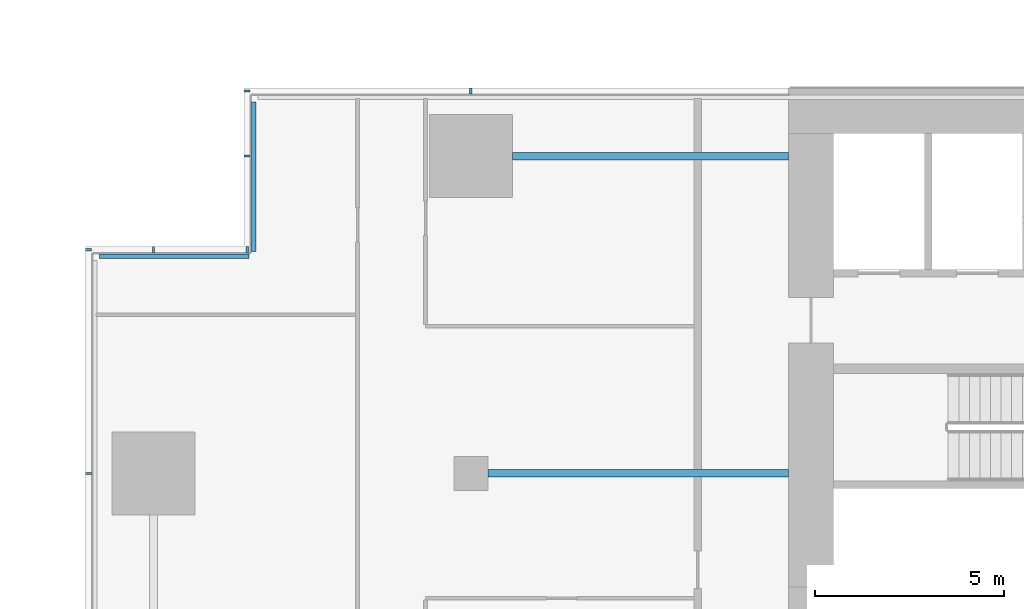
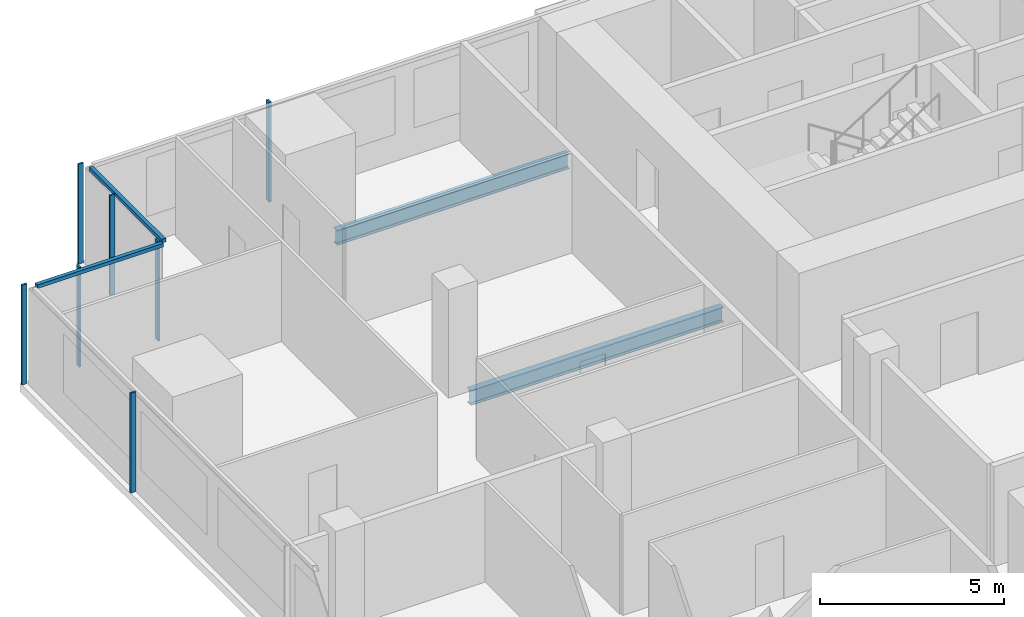
# One storey, part 8 of 26: 9 members, 2 beams, 4 elements without a shape of their own.
"""IFC4 building model written with IfcOpenShell, lengths in metres."""

import ifcopenshell
import ifcopenshell.guid

model = None  # the IFC model being written
_history = None  # IfcOwnerHistory: only IFC2X3 demands one
_inside = {}  # id of a spatial element -> (the spatial element, [elements in it])
_under = {}  # id of a project, library or spatial element -> (it, [spatial elements below it])
_declared = {}  # id of a project -> (the project, [libraries it declares])
_typed = {}  # id of a type object -> (the type object, [elements of that type])
_made_of = {}  # id of a material, layer set ... -> (it, [elements and type objects made of it])


def new_model(schema):
    """Start an empty IFC model of exactly this schema.

    Asked for "IFC4X3", IfcOpenShell would pick the latest addendum, in which some entities
    have other attributes; the version numbers below select the first issue.
    IFC2X3 requires an IfcOwnerHistory on every rooted entity: one is made here for all.
    """
    global model, _history
    if schema == "IFC4X3":
        model = ifcopenshell.file(schema_version=(4, 3, 0, 0))
    else:
        model = ifcopenshell.file(schema=schema)
    _inside.clear()
    _under.clear()
    _declared.clear()
    _typed.clear()
    _made_of.clear()
    _history = None
    if model.schema == "IFC2X3":
        org = make("IfcOrganization", Name="unknown")
        user = make(
            "IfcPersonAndOrganization",
            ThePerson=make("IfcPerson", FamilyName="unknown"),
            TheOrganization=org,
        )
        app = make(
            "IfcApplication",
            ApplicationDeveloper=org,
            Version="unknown",
            ApplicationFullName="unknown",
            ApplicationIdentifier="unknown",
        )
        _history = make(
            "IfcOwnerHistory",
            OwningUser=user,
            OwningApplication=app,
            ChangeAction="ADDED",
            CreationDate=0,
        )
    return model


def make(cls, **values):
    """One entity of the class cls with the attributes given. An attribute that is None is left unset."""
    return model.create_entity(
        cls, **{name: value for name, value in values.items() if value is not None}
    )


def rooted(cls, **values):
    """An entity with a GlobalId (a new one), such as an element, a storey or a relation."""
    return make(cls, GlobalId=ifcopenshell.guid.new(), OwnerHistory=_history, **values)


def si_unit(unit_type, name, prefix=None):
    """IfcSIUnit, for example si_unit("LENGTHUNIT", "METRE", prefix="MILLI")."""
    return make("IfcSIUnit", UnitType=unit_type, Prefix=prefix, Name=name)


def assignment(units):
    """IfcUnitAssignment: the units of a project."""
    return None if units is None else make("IfcUnitAssignment", Units=units)


def point(xyz):
    """IfcCartesianPoint."""
    return None if xyz is None else make("IfcCartesianPoint", Coordinates=xyz)


def direction(xyz):
    """IfcDirection."""
    return None if xyz is None else make("IfcDirection", DirectionRatios=xyz)


def frame(location, z_axis=None, x_axis=None):
    """IfcAxis2Placement3D, a coordinate frame: its origin and axes. An axis left out is left unset."""
    return make(
        "IfcAxis2Placement3D",
        Location=point(location),
        Axis=direction(z_axis),
        RefDirection=direction(x_axis),
    )


def frame_2d(location, x_axis=None):
    """IfcAxis2Placement2D, a coordinate frame in the plane: its origin and x axis."""
    return make(
        "IfcAxis2Placement2D", Location=point(location), RefDirection=direction(x_axis)
    )


def origin():
    """The frame at (0, 0, 0) with its axes left unset."""
    return frame((0.0, 0.0, 0.0))


def origin_2d():
    """The frame at (0, 0) in the plane with its x axis left unset."""
    return frame_2d((0.0, 0.0))


def place(relative_to, where):
    """IfcLocalPlacement: puts the frame where relative to a parent placement (None: the world)."""
    return make(
        "IfcLocalPlacement", PlacementRelTo=relative_to, RelativePlacement=where
    )


def context(
    kind, dimensions, precision=None, world=None, true_north=None, identifier=None
):
    """IfcGeometricRepresentationContext, for example the 3D "Model" context."""
    return make(
        "IfcGeometricRepresentationContext",
        ContextIdentifier=identifier,
        ContextType=kind,
        CoordinateSpaceDimension=dimensions,
        Precision=precision,
        WorldCoordinateSystem=world,
        TrueNorth=true_north,
    )


def subcontext(parent, identifier, kind, view, scale=None):
    """IfcGeometricRepresentationSubContext, for example "Body" below "Model"."""
    return make(
        "IfcGeometricRepresentationSubContext",
        ContextIdentifier=identifier,
        ContextType=kind,
        ParentContext=parent,
        TargetScale=scale,
        TargetView=view,
    )


def project(units=None, contexts=None):
    """IfcProject with its units and contexts."""
    return rooted(
        "IfcProject",
        Name="project",
        RepresentationContexts=contexts,
        UnitsInContext=assignment(units),
    )


def spatial(cls, under=None, at=None, **own):
    """A site, building, storey or space (cls), placed at a placement, below another one or the project."""
    s = rooted(cls, ObjectPlacement=at, **own)
    if under is not None:
        _under.setdefault(under.id(), (under, []))[1].append(s)
    return s


def profile(cls, at=None, kind="AREA", **sizes):
    """A parametric profile (cls). Its sizes go by their IFC names, for example OverallWidth=200.0."""
    return make(cls, ProfileType=kind, Position=at, **sizes)


def rectangle(**sizes):
    """IfcRectangleProfileDef."""
    return profile("IfcRectangleProfileDef", **sizes)


def i_section(**sizes):
    """IfcIShapeProfileDef."""
    return profile("IfcIShapeProfileDef", **sizes)


def extrude(swept, where, along, depth):
    """IfcExtrudedAreaSolid: the profile swept, set in the frame where, extruded along a direction by depth."""
    return make(
        "IfcExtrudedAreaSolid",
        SweptArea=swept,
        Position=where,
        ExtrudedDirection=direction(along),
        Depth=depth,
    )


def shape(context_of_items, identifier, shape_type, items):
    """IfcShapeRepresentation: the items that make up one representation, for example the "Body"."""
    return make(
        "IfcShapeRepresentation",
        ContextOfItems=context_of_items,
        RepresentationIdentifier=identifier,
        RepresentationType=shape_type,
        Items=items,
    )


def material(Name=None, Category=None):
    """IfcMaterial."""
    return make("IfcMaterial", Name=Name, Category=Category)


def material_profile(
    of_material, cross_section, Name=None, Category=None, Priority=None
):
    """IfcMaterialProfile: a cross section and its material."""
    return make(
        "IfcMaterialProfile",
        Name=Name,
        Material=of_material,
        Profile=cross_section,
        Priority=Priority,
        Category=Category,
    )


def profile_set(profiles, Name=None, composite=None):
    """IfcMaterialProfileSet."""
    return make(
        "IfcMaterialProfileSet",
        Name=Name,
        MaterialProfiles=profiles,
        CompositeProfile=composite,
    )


def made_of(thing, what):
    """Note that an element or type object is made of a material, layer set ...; save() writes the relation."""
    if what is not None:
        _made_of.setdefault(what.id(), (what, []))[1].append(thing)
    return thing


def type_object(cls, material=None, **own):
    """A type object (cls), such as IfcWallType, which elements share."""
    return made_of(rooted(cls, **own), material)


def element(
    cls,
    number,
    at=None,
    inside=None,
    cuts=None,
    type_object=None,
    material=None,
    context=None,
    identifier="Body",
    shape_type=None,
    held_by="IfcProductDefinitionShape",
    body=None,
    shapes=None,
    **own,
):
    """One element of the class cls, such as IfcWall. Its Tag is "e" and its number.

    at: its placement. inside: the storey or other place that contains it. cuts: it is an
    opening in that element (IfcRelVoidsElement). A single representation is given by context,
    identifier, shape_type and body (its items); several are given by shapes. held_by: the class
    of the entity that holds the representations. save() writes the other relations.
    """
    e = rooted(cls, Tag="e%d" % number, ObjectPlacement=at, **own)
    if body is not None:
        shapes = [shape(context, identifier, shape_type, body)]
    if shapes is not None:
        e.Representation = make(held_by, Representations=shapes)
    if inside is not None:
        _inside.setdefault(inside.id(), (inside, []))[1].append(e)
    if cuts is not None:
        rooted(
            "IfcRelVoidsElement", RelatingBuildingElement=cuts, RelatedOpeningElement=e
        )
    if type_object is not None:
        _typed.setdefault(type_object.id(), (type_object, []))[1].append(e)
    return made_of(e, material)


def aggregate(whole, parts):
    """IfcRelAggregates: a whole, such as a stair, and the parts it consists of."""
    return rooted("IfcRelAggregates", RelatingObject=whole, RelatedObjects=parts)


def save(model, path):
    """Write the relations noted so far, then the file.

    IfcRelAggregates (storeys below a building ...), IfcRelContainedInSpatialStructure (elements
    in a storey), IfcRelDefinesByType, IfcRelAssociatesMaterial and IfcRelDeclares: one each for
    every whole, place, type object, material and project.
    """
    for whole, parts in _under.values():
        aggregate(whole, parts)
    for where, things in _inside.values():
        rooted(
            "IfcRelContainedInSpatialStructure",
            RelatedElements=things,
            RelatingStructure=where,
        )
    for kind, things in _typed.values():
        rooted("IfcRelDefinesByType", RelatedObjects=things, RelatingType=kind)
    for what, things in _made_of.values():
        rooted("IfcRelAssociatesMaterial", RelatedObjects=things, RelatingMaterial=what)
    for by, libraries in _declared.values():
        rooted("IfcRelDeclares", RelatingContext=by, RelatedDefinitions=libraries)
    model.write(path)


model = new_model("IFC4")

# Units and contexts
model_context = context("Model", 3, precision=1e-05, world=origin(), true_north=direction((0.0, 1.0)))
body_context = subcontext(model_context, "Body", "Model", "MODEL_VIEW")
ifc_project = project(units=[si_unit("LENGTHUNIT", "METRE"), si_unit("AREAUNIT", "SQUARE_METRE"), si_unit("VOLUMEUNIT", "CUBIC_METRE"), si_unit("PLANEANGLEUNIT", "RADIAN"), si_unit("MASSUNIT", "GRAM", prefix="KILO")], contexts=[model_context])

# Site, building, storey
site_placement = place(None, origin())
site = spatial("IfcSite", under=ifc_project, at=site_placement, CompositionType="ELEMENT")
building_placement = place(site_placement, origin())
building = spatial("IfcBuilding", under=site, at=building_placement, Name="Saffron Gate Tower", CompositionType="ELEMENT")
storey_placement = place(building_placement, frame((0.0, 0.0, 62.39990234375)))
storey = spatial("IfcBuildingStorey", under=building, at=storey_placement, Name="L14", CompositionType="ELEMENT", Elevation=62.39990234375)

# Beams
ifc_material_1 = material(Name="Structural steel S355", Category="steel")
ifc_material_profile_1 = material_profile(ifc_material_1, i_section(OverallWidth=0.199951171875, OverallDepth=0.5, WebThickness=0.01025390625, FlangeThickness=0.01611328125, FilletRadius=0.02099609375, at=origin_2d()))
ifc_profile_set_1 = profile_set([ifc_material_profile_1], Name="Structural steel S355")
beam_type = type_object("IfcBeamType", Name="B10 IPE 500", PredefinedType="BEAM", material=ifc_profile_set_1)
beam_1_placement = place(storey_placement, frame((58.64990234375, 65.39990234375, -0.52978515625), z_axis=(1.0, 0.0, 0.0), x_axis=(0.0, 1.0, 0.0)))
element("IfcBeam", 1, at=beam_1_placement, inside=storey, type_object=beam_type, Name="B10 CORE TIE BEAM", PredefinedType="BEAM", context=body_context, shape_type="SweptSolid", body=[
    extrude(i_section(OverallWidth=0.199951171875, OverallDepth=0.5, WebThickness=0.01025390625, FlangeThickness=0.01611328125, FilletRadius=0.02099609375, at=origin_2d()), origin(), (0.0, 0.0, 1.0), 7.9501953125),
])
beam_2_placement = place(storey_placement, frame((59.300048828125, 73.800048828125, -0.52978515625), z_axis=(1.0, 0.0, 0.0), x_axis=(0.0, 1.0, 0.0)))
element("IfcBeam", 2, at=beam_2_placement, inside=storey, type_object=beam_type, Name="B10 CORE TIE BEAM", PredefinedType="BEAM", context=body_context, shape_type="SweptSolid", body=[
    extrude(i_section(OverallWidth=0.199951171875, OverallDepth=0.5, WebThickness=0.01025390625, FlangeThickness=0.01611328125, FilletRadius=0.02099609375, at=origin_2d()), origin(), (0.0, 0.0, 1.0), 7.300048828125),
])

# Curtain wall, members
ifc_material_2 = material(Name="Aluminium, bronze anodised", Category="aluminium")
curtain_wall_type_1 = type_object("IfcCurtainWallType", Name="CWS2 curtain wall side facades", PredefinedType="NOTDEFINED", material=ifc_material_2)
curtain_wall_1_placement = place(storey_placement, origin())
curtain_wall_1 = element("IfcCurtainWall", 3, at=curtain_wall_1_placement, inside=storey, type_object=curtain_wall_type_1, Name="CWS2 run 10", PredefinedType="NOTDEFINED")
ifc_material_profile_2 = material_profile(ifc_material_2, rectangle(XDim=0.159912109375, YDim=0.06005859375, at=origin_2d()))
ifc_profile_set_2 = profile_set([ifc_material_profile_2], Name="Aluminium, bronze anodised")
member_type_1 = type_object("IfcMemberType", Name="CWS2 mullion 60x160", PredefinedType="MULLION", material=ifc_profile_set_2)
member_1_placement = place(storey_placement, frame((48.080078125, 71.320068359375, 0.0), z_axis=(0.0, 0.0, 1.0), x_axis=(1.0, 0.0, 0.0)))
member_1 = element("IfcMember", 4, at=member_1_placement, type_object=member_type_1, Name="CWS2 mullion 1", PredefinedType="MULLION", context=body_context, shape_type="SweptSolid", body=[
    extrude(rectangle(XDim=0.159912109375, YDim=0.06005859375, at=origin_2d()), origin(), (0.0, 0.0, 1.0), 3.320068359375),
])
member_2_placement = place(storey_placement, frame((48.080078125, 65.39990234375, 0.0), z_axis=(0.0, 0.0, 1.0), x_axis=(1.0, 0.0, 0.0)))
member_2 = element("IfcMember", 5, at=member_2_placement, type_object=member_type_1, Name="CWS2 mullion 2", PredefinedType="MULLION", context=body_context, shape_type="SweptSolid", body=[
    extrude(rectangle(XDim=0.159912109375, YDim=0.06005859375, at=origin_2d()), origin(), (0.0, 0.0, 1.0), 3.320068359375),
])
aggregate(curtain_wall_1, [member_1, member_2])

# Curtain wall, member
curtain_wall_type_2 = type_object("IfcCurtainWallType", Name="CWS3 curtain wall rear facade", PredefinedType="NOTDEFINED", material=ifc_material_2)
curtain_wall_2_placement = place(storey_placement, origin())
curtain_wall_2 = element("IfcCurtainWall", 6, at=curtain_wall_2_placement, inside=storey, type_object=curtain_wall_type_2, Name="CWS3 run 7", PredefinedType="NOTDEFINED")
ifc_material_profile_3 = material_profile(ifc_material_2, rectangle(XDim=0.159912109375, YDim=0.070068359375, at=origin_2d()))
ifc_profile_set_3 = profile_set([ifc_material_profile_3], Name="Aluminium, bronze anodised")
member_type_2 = type_object("IfcMemberType", Name="CWS3 mullion 70x160", PredefinedType="MULLION", material=ifc_profile_set_3)
member_3_placement = place(storey_placement, frame((58.199951171875, 75.52001953125, 0.0), z_axis=(0.0, 0.0, 1.0), x_axis=(0.0, -1.0, 0.0)))
member_3 = element("IfcMember", 7, at=member_3_placement, type_object=member_type_2, Name="CWS3 mullion 9", PredefinedType="MULLION", context=body_context, shape_type="SweptSolid", body=[
    extrude(rectangle(XDim=0.159912109375, YDim=0.070068359375, at=origin_2d()), origin(), (0.0, 0.0, 1.0), 3.320068359375),
])
aggregate(curtain_wall_2, [member_3])

curtain_wall_type_3 = type_object("IfcCurtainWallType", Name="CWS4 curtain wall corner returns", PredefinedType="NOTDEFINED", material=ifc_material_2)
curtain_wall_3_placement = place(storey_placement, origin())
curtain_wall_3 = element("IfcCurtainWall", 8, at=curtain_wall_3_placement, inside=storey, type_object=curtain_wall_type_3, Name="CWS4 run 8", PredefinedType="NOTDEFINED")
ifc_material_profile_4 = material_profile(ifc_material_2, rectangle(XDim=0.1201171875, YDim=0.1201171875, at=origin_2d()))
ifc_profile_set_4 = profile_set([ifc_material_profile_4], Name="Aluminium, bronze anodised")
member_type_3 = type_object("IfcMemberType", Name="CWS4 head transom", PredefinedType="USERDEFINED", material=ifc_profile_set_4)
member_4_placement = place(storey_placement, frame((52.447998046875, 75.23193359375, 3.260009765625), z_axis=(0.0, -1.0, 0.0), x_axis=(1.0, 0.0, 0.0)))
member_4 = element("IfcMember", 9, at=member_4_placement, type_object=member_type_3, Name="CWS4 head transom", ObjectType="TRANSOM", PredefinedType="USERDEFINED", context=body_context, shape_type="SweptSolid", body=[
    extrude(rectangle(XDim=0.1201171875, YDim=0.1201171875, at=origin_2d()), origin(), (0.0, 0.0, 1.0), 3.9599609375),
])

curtain_wall_4_placement = place(storey_placement, origin())
curtain_wall_4 = element("IfcCurtainWall", 10, at=curtain_wall_4_placement, inside=storey, type_object=curtain_wall_type_3, Name="CWS4 run 9", PredefinedType="NOTDEFINED")
member_5_placement = place(storey_placement, frame((52.327880859375, 71.152099609375, 3.260009765625), z_axis=(-1.0, 0.0, 0.0), x_axis=(0.0, -1.0, 0.0)))
member_5 = element("IfcMember", 11, at=member_5_placement, type_object=member_type_3, Name="CWS4 head transom", ObjectType="TRANSOM", PredefinedType="USERDEFINED", context=body_context, shape_type="SweptSolid", body=[
    extrude(rectangle(XDim=0.1201171875, YDim=0.1201171875, at=origin_2d()), origin(), (0.0, 0.0, 1.0), 3.9599609375),
])

# Member
ifc_material_profile_5 = material_profile(ifc_material_2, rectangle(XDim=0.159912109375, YDim=0.06005859375, at=origin_2d()))
ifc_profile_set_5 = profile_set([ifc_material_profile_5], Name="Aluminium, bronze anodised")
member_type_4 = type_object("IfcMemberType", Name="CWS4 mullion 60x160", PredefinedType="MULLION", material=ifc_profile_set_5)
member_6_placement = place(storey_placement, frame((52.280029296875, 75.52001953125, 0.0), z_axis=(0.0, 0.0, 1.0), x_axis=(1.0, 0.0, 0.0)))
member_6 = element("IfcMember", 12, at=member_6_placement, type_object=member_type_4, Name="CWS4 mullion 1", PredefinedType="MULLION", context=body_context, shape_type="SweptSolid", body=[
    extrude(rectangle(XDim=0.159912109375, YDim=0.06005859375, at=origin_2d()), origin(), (0.0, 0.0, 1.0), 3.320068359375),
])

member_7_placement = place(storey_placement, frame((52.280029296875, 73.800048828125, 0.0), z_axis=(0.0, 0.0, 1.0), x_axis=(1.0, 0.0, 0.0)))
member_7 = element("IfcMember", 13, at=member_7_placement, type_object=member_type_4, Name="CWS4 mullion 2", PredefinedType="MULLION", context=body_context, shape_type="SweptSolid", body=[
    extrude(rectangle(XDim=0.159912109375, YDim=0.06005859375, at=origin_2d()), origin(), (0.0, 0.0, 1.0), 3.320068359375),
])

aggregate(curtain_wall_3, [member_6, member_7, member_4])

member_8_placement = place(storey_placement, frame((52.280029296875, 71.320068359375, 0.0), z_axis=(0.0, 0.0, 1.0), x_axis=(0.0, -1.0, 0.0)))
member_8 = element("IfcMember", 14, at=member_8_placement, type_object=member_type_4, Name="CWS4 mullion 1", PredefinedType="MULLION", context=body_context, shape_type="SweptSolid", body=[
    extrude(rectangle(XDim=0.159912109375, YDim=0.06005859375, at=origin_2d()), origin(), (0.0, 0.0, 1.0), 3.320068359375),
])

member_9_placement = place(storey_placement, frame((49.800048828125, 71.320068359375, 0.0), z_axis=(0.0, 0.0, 1.0), x_axis=(0.0, -1.0, 0.0)))
member_9 = element("IfcMember", 15, at=member_9_placement, type_object=member_type_4, Name="CWS4 mullion 2", PredefinedType="MULLION", context=body_context, shape_type="SweptSolid", body=[
    extrude(rectangle(XDim=0.159912109375, YDim=0.06005859375, at=origin_2d()), origin(), (0.0, 0.0, 1.0), 3.320068359375),
])

aggregate(curtain_wall_4, [member_8, member_9, member_5])

save(model, "model.ifc")
